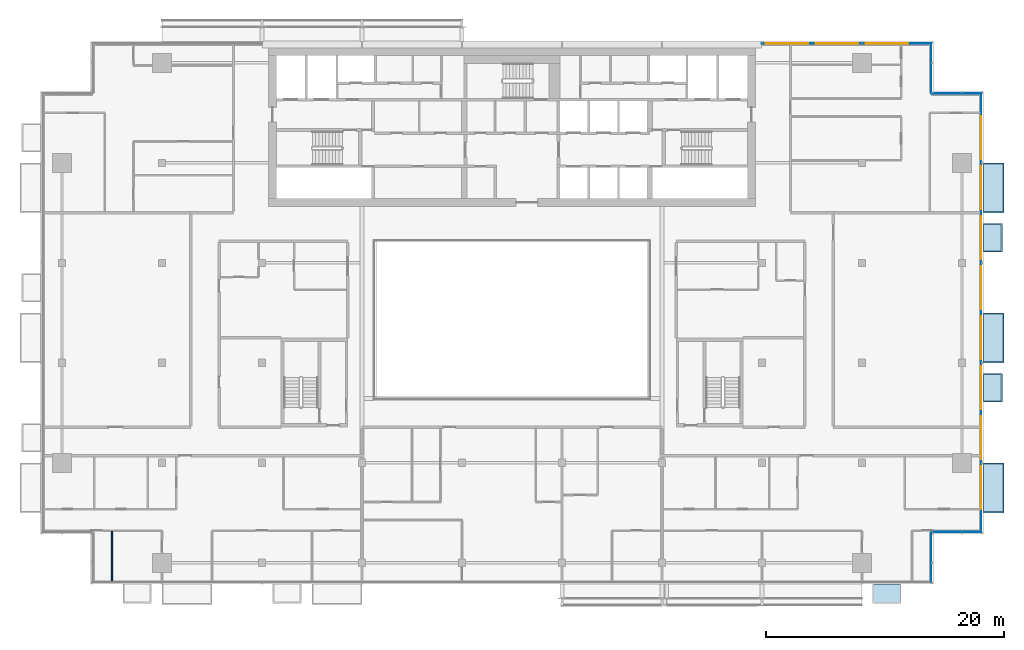
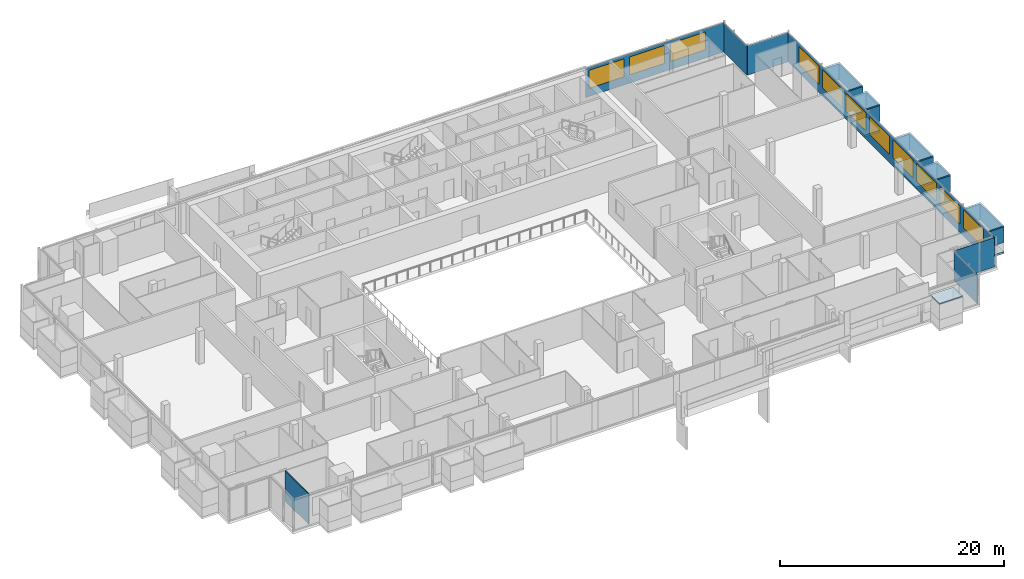
# One storey, part 16 of 27: 17 plates, 11 windows, 5 slabs, 1 wall, 11 openings, 6 elements without a shape of their own.
"""IFC4 building model written with IfcOpenShell, lengths in metres."""

from ifc_helpers import new_model, si_unit, direction, frame, frame_2d, origin, place, context, subcontext, project, spatial, polyline, rectangle, outline, extrude, material, layer, layer_set, type_object, element, fill, aggregate, save


model = new_model("IFC4")

# Units and contexts
model_context = context("Model", 3, precision=1e-05, world=origin(), true_north=direction((0.0, 1.0)))
body_context = subcontext(model_context, "Body", "Model", "MODEL_VIEW")
ifc_project = project(units=[si_unit("LENGTHUNIT", "METRE"), si_unit("AREAUNIT", "SQUARE_METRE"), si_unit("VOLUMEUNIT", "CUBIC_METRE"), si_unit("PLANEANGLEUNIT", "RADIAN"), si_unit("MASSUNIT", "GRAM", prefix="KILO")], contexts=[model_context])

# Site, building, storey
site_placement = place(None, origin())
site = spatial("IfcSite", under=ifc_project, at=site_placement, CompositionType="ELEMENT")
building_placement = place(site_placement, origin())
building = spatial("IfcBuilding", under=site, at=building_placement, Name="Saffron Gate Tower", CompositionType="ELEMENT")
storey_placement = place(building_placement, frame((0.0, 0.0, 212.699951171875)))
storey = spatial("IfcBuildingStorey", under=building, at=storey_placement, Name="L51", CompositionType="ELEMENT", Elevation=212.699951171875)

# Curtain wall, plate, openings, windows
ifc_material_1 = material(Name="Aluminium, bronze anodised", Category="aluminium")
curtain_wall_type_1 = type_object("IfcCurtainWallType", Name="CWS2 curtain wall side facades", PredefinedType="NOTDEFINED", material=ifc_material_1)
curtain_wall_1_placement = place(storey_placement, origin())
curtain_wall_1 = element("IfcCurtainWall", 1, at=curtain_wall_1_placement, inside=storey, type_object=curtain_wall_type_1, Name="CWS2 run 4", PredefinedType="NOTDEFINED")
ifc_material_2 = material(Name="Fritted bronze-tinted laminated glass", Category="glass")
ifc_layer_1 = layer(ifc_material_2, 0.028076171875)
ifc_layer_set_1 = layer_set([ifc_layer_1], Name="CWS2 fixed glass")
plate_type_1 = type_object("IfcPlateType", Name="CWS2 fixed glass", PredefinedType="CURTAIN_PANEL", material=ifc_layer_set_1)
plate_1_placement = place(storey_placement, frame((127.02587890625, 34.387939453125, 0.0), z_axis=(0.0, 0.0, 1.0), x_axis=(0.0, 1.0, 0.0)))
plate_1 = element("IfcPlate", 2, at=plate_1_placement, type_object=plate_type_1, Name="CWS2 glass panel", PredefinedType="CURTAIN_PANEL", context=body_context, shape_type="SweptSolid", body=[
    extrude(rectangle(XDim=36.823974609375, YDim=0.028076171875, at=frame_2d((18.412109375, 0.0))), origin(), (0.0, 0.0, 1.0), 3.199951171875),
])
opening_1_placement = place(plate_1_placement, frame((1.912109375, 0.0, 0.89990234375)))
opening_1 = element("IfcOpeningElement", 3, at=opening_1_placement, cuts=plate_1, Name="Opening W1", PredefinedType="OPENING", context=body_context, shape_type="SweptSolid", body=[
    extrude(rectangle(XDim=3.60009765625, YDim=1.949951171875, at=frame_2d((1.800048828125, 0.97509765625))), frame((0.0, 0.02392578125, 0.0), z_axis=(0.0, -1.0, 0.0), x_axis=(1.0, 0.0, 0.0)), (0.0, 0.0, 1.0), 0.048095703125),
])
opening_2_placement = place(plate_1_placement, frame((6.112060546875, 0.0, 0.89990234375)))
opening_2 = element("IfcOpeningElement", 4, at=opening_2_placement, cuts=plate_1, Name="Opening W1", PredefinedType="OPENING", context=body_context, shape_type="SweptSolid", body=[
    extrude(rectangle(XDim=3.60009765625, YDim=1.949951171875, at=frame_2d((1.800048828125, 0.97509765625))), frame((0.0, 0.02392578125, 0.0), z_axis=(0.0, -1.0, 0.0), x_axis=(1.0, 0.0, 0.0)), (0.0, 0.0, 1.0), 0.048095703125),
])
opening_3_placement = place(plate_1_placement, frame((10.31201171875, 0.0, 0.89990234375)))
opening_3 = element("IfcOpeningElement", 5, at=opening_3_placement, cuts=plate_1, Name="Opening W1", PredefinedType="OPENING", context=body_context, shape_type="SweptSolid", body=[
    extrude(rectangle(XDim=3.60009765625, YDim=1.949951171875, at=frame_2d((1.800048828125, 0.97509765625))), frame((0.0, 0.02392578125, 0.0), z_axis=(0.0, -1.0, 0.0), x_axis=(1.0, 0.0, 0.0)), (0.0, 0.0, 1.0), 0.048095703125),
])
opening_4_placement = place(plate_1_placement, frame((14.511962890625, 0.0, 0.89990234375)))
opening_4 = element("IfcOpeningElement", 6, at=opening_4_placement, cuts=plate_1, Name="Opening W1", PredefinedType="OPENING", context=body_context, shape_type="SweptSolid", body=[
    extrude(rectangle(XDim=3.60009765625, YDim=1.949951171875, at=frame_2d((1.800048828125, 0.97509765625))), frame((0.0, 0.02392578125, 0.0), z_axis=(0.0, -1.0, 0.0), x_axis=(1.0, 0.0, 0.0)), (0.0, 0.0, 1.0), 0.048095703125),
])
opening_5_placement = place(plate_1_placement, frame((18.7119140625, 0.0, 0.89990234375)))
opening_5 = element("IfcOpeningElement", 7, at=opening_5_placement, cuts=plate_1, Name="Opening W1", PredefinedType="OPENING", context=body_context, shape_type="SweptSolid", body=[
    extrude(rectangle(XDim=3.60009765625, YDim=1.949951171875, at=frame_2d((1.800048828125, 0.97509765625))), frame((0.0, 0.02392578125, 0.0), z_axis=(0.0, -1.0, 0.0), x_axis=(1.0, 0.0, 0.0)), (0.0, 0.0, 1.0), 0.048095703125),
])
opening_6_placement = place(plate_1_placement, frame((22.912109375, 0.0, 0.89990234375)))
opening_6 = element("IfcOpeningElement", 8, at=opening_6_placement, cuts=plate_1, Name="Opening W1", PredefinedType="OPENING", context=body_context, shape_type="SweptSolid", body=[
    extrude(rectangle(XDim=3.60009765625, YDim=1.949951171875, at=frame_2d((1.800048828125, 0.97509765625))), frame((0.0, 0.02392578125, 0.0), z_axis=(0.0, -1.0, 0.0), x_axis=(1.0, 0.0, 0.0)), (0.0, 0.0, 1.0), 0.048095703125),
])
opening_7_placement = place(plate_1_placement, frame((27.112060546875, 0.0, 0.89990234375)))
opening_7 = element("IfcOpeningElement", 9, at=opening_7_placement, cuts=plate_1, Name="Opening W1", PredefinedType="OPENING", context=body_context, shape_type="SweptSolid", body=[
    extrude(rectangle(XDim=3.60009765625, YDim=1.949951171875, at=frame_2d((1.800048828125, 0.97509765625))), frame((0.0, 0.02392578125, 0.0), z_axis=(0.0, -1.0, 0.0), x_axis=(1.0, 0.0, 0.0)), (0.0, 0.0, 1.0), 0.048095703125),
])
opening_8_placement = place(plate_1_placement, frame((31.31201171875, 0.0, 0.89990234375)))
opening_8 = element("IfcOpeningElement", 10, at=opening_8_placement, cuts=plate_1, Name="Opening W1", PredefinedType="OPENING", context=body_context, shape_type="SweptSolid", body=[
    extrude(rectangle(XDim=3.60009765625, YDim=1.949951171875, at=frame_2d((1.800048828125, 0.97509765625))), frame((0.0, 0.02392578125, 0.0), z_axis=(0.0, -1.0, 0.0), x_axis=(1.0, 0.0, 0.0)), (0.0, 0.0, 1.0), 0.048095703125),
])
ifc_material_3 = material(Name="Fritted bronze-tinted laminated glass in bronze frame", Category="glass")
ifc_layer_2 = layer(ifc_material_3, 0.06005859375)
ifc_layer_set_2 = layer_set([ifc_layer_2], Name="W1 operable panel 3600x1950")
window_type = type_object("IfcWindowType", Name="W1 operable panel 3600x1950", PartitioningType="DOUBLE_PANEL_HORIZONTAL", PredefinedType="WINDOW", material=ifc_layer_set_2)
window_1_placement = place(opening_1_placement, origin())
window_1 = element("IfcWindow", 11, at=window_1_placement, type_object=window_type, Name="W1 operable panel", OverallHeight=1.949951171875, OverallWidth=3.60009765625, PartitioningType="SINGLE_PANEL", PredefinedType="WINDOW", context=body_context, shape_type="SweptSolid", body=[
    extrude(rectangle(XDim=3.60009765625, YDim=1.949951171875, at=frame_2d((1.800048828125, 0.97509765625))), frame((0.0, 0.013671875, 0.0), z_axis=(0.0, -1.0, 0.0), x_axis=(1.0, 0.0, 0.0)), (0.0, 0.0, 1.0), 0.027587890625),
])
fill(opening_1, window_1)
window_2_placement = place(opening_2_placement, origin())
window_2 = element("IfcWindow", 12, at=window_2_placement, type_object=window_type, Name="W1 operable panel", OverallHeight=1.949951171875, OverallWidth=3.60009765625, PartitioningType="SINGLE_PANEL", PredefinedType="WINDOW", context=body_context, shape_type="SweptSolid", body=[
    extrude(rectangle(XDim=3.60009765625, YDim=1.949951171875, at=frame_2d((1.800048828125, 0.97509765625))), frame((0.0, 0.013671875, 0.0), z_axis=(0.0, -1.0, 0.0), x_axis=(1.0, 0.0, 0.0)), (0.0, 0.0, 1.0), 0.027587890625),
])
fill(opening_2, window_2)
window_3_placement = place(opening_3_placement, origin())
window_3 = element("IfcWindow", 13, at=window_3_placement, type_object=window_type, Name="W1 operable panel", OverallHeight=1.949951171875, OverallWidth=3.60009765625, PartitioningType="SINGLE_PANEL", PredefinedType="WINDOW", context=body_context, shape_type="SweptSolid", body=[
    extrude(rectangle(XDim=3.60009765625, YDim=1.949951171875, at=frame_2d((1.800048828125, 0.97509765625))), frame((0.0, 0.013671875, 0.0), z_axis=(0.0, -1.0, 0.0), x_axis=(1.0, 0.0, 0.0)), (0.0, 0.0, 1.0), 0.027587890625),
])
fill(opening_3, window_3)
window_4_placement = place(opening_4_placement, origin())
window_4 = element("IfcWindow", 14, at=window_4_placement, type_object=window_type, Name="W1 operable panel", OverallHeight=1.949951171875, OverallWidth=3.60009765625, PartitioningType="SINGLE_PANEL", PredefinedType="WINDOW", context=body_context, shape_type="SweptSolid", body=[
    extrude(rectangle(XDim=3.60009765625, YDim=1.949951171875, at=frame_2d((1.800048828125, 0.97509765625))), frame((0.0, 0.013671875, 0.0), z_axis=(0.0, -1.0, 0.0), x_axis=(1.0, 0.0, 0.0)), (0.0, 0.0, 1.0), 0.027587890625),
])
fill(opening_4, window_4)
window_5_placement = place(opening_5_placement, origin())
window_5 = element("IfcWindow", 15, at=window_5_placement, type_object=window_type, Name="W1 operable panel", OverallHeight=1.949951171875, OverallWidth=3.60009765625, PartitioningType="SINGLE_PANEL", PredefinedType="WINDOW", context=body_context, shape_type="SweptSolid", body=[
    extrude(rectangle(XDim=3.60009765625, YDim=1.949951171875, at=frame_2d((1.800048828125, 0.97509765625))), frame((0.0, 0.013671875, 0.0), z_axis=(0.0, -1.0, 0.0), x_axis=(1.0, 0.0, 0.0)), (0.0, 0.0, 1.0), 0.027587890625),
])
fill(opening_5, window_5)
window_6_placement = place(opening_6_placement, origin())
window_6 = element("IfcWindow", 16, at=window_6_placement, type_object=window_type, Name="W1 operable panel", OverallHeight=1.949951171875, OverallWidth=3.60009765625, PartitioningType="SINGLE_PANEL", PredefinedType="WINDOW", context=body_context, shape_type="SweptSolid", body=[
    extrude(rectangle(XDim=3.60009765625, YDim=1.949951171875, at=frame_2d((1.800048828125, 0.97509765625))), frame((0.0, 0.013671875, 0.0), z_axis=(0.0, -1.0, 0.0), x_axis=(1.0, 0.0, 0.0)), (0.0, 0.0, 1.0), 0.027587890625),
])
fill(opening_6, window_6)
window_7_placement = place(opening_7_placement, origin())
window_7 = element("IfcWindow", 17, at=window_7_placement, type_object=window_type, Name="W1 operable panel", OverallHeight=1.949951171875, OverallWidth=3.60009765625, PartitioningType="SINGLE_PANEL", PredefinedType="WINDOW", context=body_context, shape_type="SweptSolid", body=[
    extrude(rectangle(XDim=3.60009765625, YDim=1.949951171875, at=frame_2d((1.800048828125, 0.97509765625))), frame((0.0, 0.013671875, 0.0), z_axis=(0.0, -1.0, 0.0), x_axis=(1.0, 0.0, 0.0)), (0.0, 0.0, 1.0), 0.027587890625),
])
fill(opening_7, window_7)
window_8_placement = place(opening_8_placement, origin())
window_8 = element("IfcWindow", 18, at=window_8_placement, type_object=window_type, Name="W1 operable panel", OverallHeight=1.949951171875, OverallWidth=3.60009765625, PartitioningType="SINGLE_PANEL", PredefinedType="WINDOW", context=body_context, shape_type="SweptSolid", body=[
    extrude(rectangle(XDim=3.60009765625, YDim=1.949951171875, at=frame_2d((1.800048828125, 0.97509765625))), frame((0.0, 0.013671875, 0.0), z_axis=(0.0, -1.0, 0.0), x_axis=(1.0, 0.0, 0.0)), (0.0, 0.0, 1.0), 0.027587890625),
])
fill(opening_8, window_8)
aggregate(curtain_wall_1, [plate_1, window_1, window_2, window_3, window_4, window_5, window_6, window_7, window_8])

curtain_wall_type_2 = type_object("IfcCurtainWallType", Name="CWS3 curtain wall rear facade", PredefinedType="NOTDEFINED", material=ifc_material_1)
curtain_wall_2_placement = place(storey_placement, origin())
curtain_wall_2 = element("IfcCurtainWall", 19, at=curtain_wall_2_placement, inside=storey, type_object=curtain_wall_type_2, Name="CWS3 run 7", PredefinedType="NOTDEFINED")
ifc_material_4 = material(Name="Fritted grey-tinted laminated glass", Category="glass")
ifc_layer_3 = layer(ifc_material_4, 0.028076171875)
ifc_layer_set_3 = layer_set([ifc_layer_3], Name="CWS3 fixed glass")
plate_type_2 = type_object("IfcPlateType", Name="CWS3 fixed glass", PredefinedType="CURTAIN_PANEL", material=ifc_layer_set_3)
plate_2_placement = place(storey_placement, frame((122.81201171875, 75.426025390625, 0.0), z_axis=(0.0, 0.0, 1.0), x_axis=(-1.0, 0.0, 0.0)))
plate_2 = element("IfcPlate", 20, at=plate_2_placement, type_object=plate_type_2, Name="CWS3 glass panel", PredefinedType="CURTAIN_PANEL", context=body_context, shape_type="SweptSolid", body=[
    extrude(rectangle(XDim=14.2470703125, YDim=0.028076171875, at=frame_2d((7.12353515625, 0.0))), origin(), (0.0, 0.0, 1.0), 3.199951171875),
])
opening_9_placement = place(plate_2_placement, frame((1.912109375, 0.0, 0.89990234375)))
opening_9 = element("IfcOpeningElement", 21, at=opening_9_placement, cuts=plate_2, Name="Opening W1", PredefinedType="OPENING", context=body_context, shape_type="SweptSolid", body=[
    extrude(rectangle(XDim=3.60009765625, YDim=1.949951171875, at=frame_2d((1.800048828125, 0.97509765625))), frame((0.0, 0.02392578125, 0.0), z_axis=(0.0, -1.0, 0.0), x_axis=(1.0, 0.0, 0.0)), (0.0, 0.0, 1.0), 0.048095703125),
])
opening_10_placement = place(plate_2_placement, frame((6.112060546875, 0.0, 0.89990234375)))
opening_10 = element("IfcOpeningElement", 22, at=opening_10_placement, cuts=plate_2, Name="Opening W1", PredefinedType="OPENING", context=body_context, shape_type="SweptSolid", body=[
    extrude(rectangle(XDim=3.60009765625, YDim=1.949951171875, at=frame_2d((1.800048828125, 0.97509765625))), frame((0.0, 0.02392578125, 0.0), z_axis=(0.0, -1.0, 0.0), x_axis=(1.0, 0.0, 0.0)), (0.0, 0.0, 1.0), 0.048095703125),
])
opening_11_placement = place(plate_2_placement, frame((10.31201171875, 0.0, 0.89990234375)))
opening_11 = element("IfcOpeningElement", 23, at=opening_11_placement, cuts=plate_2, Name="Opening W1", PredefinedType="OPENING", context=body_context, shape_type="SweptSolid", body=[
    extrude(rectangle(XDim=3.60009765625, YDim=1.949951171875, at=frame_2d((1.800048828125, 0.97509765625))), frame((0.0, 0.02392578125, 0.0), z_axis=(0.0, -1.0, 0.0), x_axis=(1.0, 0.0, 0.0)), (0.0, 0.0, 1.0), 0.048095703125),
])
window_9_placement = place(opening_9_placement, origin())
window_9 = element("IfcWindow", 24, at=window_9_placement, type_object=window_type, Name="W1 operable panel", OverallHeight=1.949951171875, OverallWidth=3.60009765625, PartitioningType="SINGLE_PANEL", PredefinedType="WINDOW", context=body_context, shape_type="SweptSolid", body=[
    extrude(rectangle(XDim=3.60009765625, YDim=1.949951171875, at=frame_2d((1.800048828125, 0.97509765625))), frame((0.0, 0.013671875, 0.0), z_axis=(0.0, -1.0, 0.0), x_axis=(1.0, 0.0, 0.0)), (0.0, 0.0, 1.0), 0.027587890625),
])
fill(opening_9, window_9)
window_10_placement = place(opening_10_placement, origin())
window_10 = element("IfcWindow", 25, at=window_10_placement, type_object=window_type, Name="W1 operable panel", OverallHeight=1.949951171875, OverallWidth=3.60009765625, PartitioningType="SINGLE_PANEL", PredefinedType="WINDOW", context=body_context, shape_type="SweptSolid", body=[
    extrude(rectangle(XDim=3.60009765625, YDim=1.949951171875, at=frame_2d((1.800048828125, 0.97509765625))), frame((0.0, 0.013671875, 0.0), z_axis=(0.0, -1.0, 0.0), x_axis=(1.0, 0.0, 0.0)), (0.0, 0.0, 1.0), 0.027587890625),
])
fill(opening_10, window_10)
window_11_placement = place(opening_11_placement, origin())
window_11 = element("IfcWindow", 26, at=window_11_placement, type_object=window_type, Name="W1 operable panel", OverallHeight=1.949951171875, OverallWidth=3.60009765625, PartitioningType="SINGLE_PANEL", PredefinedType="WINDOW", context=body_context, shape_type="SweptSolid", body=[
    extrude(rectangle(XDim=3.60009765625, YDim=1.949951171875, at=frame_2d((1.800048828125, 0.97509765625))), frame((0.0, 0.013671875, 0.0), z_axis=(0.0, -1.0, 0.0), x_axis=(1.0, 0.0, 0.0)), (0.0, 0.0, 1.0), 0.027587890625),
])
fill(opening_11, window_11)
aggregate(curtain_wall_2, [plate_2, window_9, window_10, window_11])

# Curtain wall, plate
curtain_wall_type_3 = type_object("IfcCurtainWallType", Name="CWS4 curtain wall corner returns", PredefinedType="NOTDEFINED", material=ifc_material_1)
curtain_wall_3_placement = place(storey_placement, origin())
curtain_wall_3 = element("IfcCurtainWall", 27, at=curtain_wall_3_placement, inside=storey, type_object=curtain_wall_type_3, Name="CWS4 run 2", PredefinedType="NOTDEFINED")
ifc_layer_4 = layer(ifc_material_2, 0.028076171875)
ifc_layer_set_4 = layer_set([ifc_layer_4], Name="CWS4 fixed glass")
plate_type_3 = type_object("IfcPlateType", Name="CWS4 fixed glass", PredefinedType="CURTAIN_PANEL", material=ifc_layer_set_4)
plate_3_placement = place(storey_placement, frame((122.825927734375, 30.18798828125, 0.0), z_axis=(0.0, 0.0, 1.0), x_axis=(0.0, 1.0, 0.0)))
plate_3 = element("IfcPlate", 28, at=plate_3_placement, type_object=plate_type_3, Name="CWS4 glass panel", PredefinedType="CURTAIN_PANEL", context=body_context, shape_type="SweptSolid", body=[
    extrude(rectangle(XDim=4.172119140625, YDim=0.028076171875, at=frame_2d((2.0859375, 0.0))), origin(), (0.0, 0.0, 1.0), 3.199951171875),
])
aggregate(curtain_wall_3, [plate_3])

curtain_wall_4_placement = place(storey_placement, origin())
curtain_wall_4 = element("IfcCurtainWall", 29, at=curtain_wall_4_placement, inside=storey, type_object=curtain_wall_type_3, Name="CWS4 run 3", PredefinedType="NOTDEFINED")
plate_4_placement = place(storey_placement, frame((122.840087890625, 34.3740234375, 0.0), z_axis=(0.0, 0.0, 1.0), x_axis=(1.0, 0.0, 0.0)))
plate_4 = element("IfcPlate", 30, at=plate_4_placement, type_object=plate_type_3, Name="CWS4 glass panel", PredefinedType="CURTAIN_PANEL", context=body_context, shape_type="SweptSolid", body=[
    extrude(rectangle(XDim=4.171875, YDim=0.028076171875, at=frame_2d((2.0859375, 0.0))), origin(), (0.0, 0.0, 1.0), 3.199951171875),
])
aggregate(curtain_wall_4, [plate_4])

curtain_wall_5_placement = place(storey_placement, origin())
curtain_wall_5 = element("IfcCurtainWall", 31, at=curtain_wall_5_placement, inside=storey, type_object=curtain_wall_type_3, Name="CWS4 run 5", PredefinedType="NOTDEFINED")
plate_5_placement = place(storey_placement, frame((127.011962890625, 71.22607421875, 0.0), z_axis=(0.0, 0.0, 1.0), x_axis=(-1.0, 0.0, 0.0)))
plate_5 = element("IfcPlate", 32, at=plate_5_placement, type_object=plate_type_3, Name="CWS4 glass panel", PredefinedType="CURTAIN_PANEL", context=body_context, shape_type="SweptSolid", body=[
    extrude(rectangle(XDim=4.171875, YDim=0.028076171875, at=frame_2d((2.0859375, 0.0))), origin(), (0.0, 0.0, 1.0), 3.199951171875),
])
aggregate(curtain_wall_5, [plate_5])

curtain_wall_6_placement = place(storey_placement, origin())
curtain_wall_6 = element("IfcCurtainWall", 33, at=curtain_wall_6_placement, inside=storey, type_object=curtain_wall_type_3, Name="CWS4 run 6", PredefinedType="NOTDEFINED")
plate_6_placement = place(storey_placement, frame((122.825927734375, 71.239990234375, 0.0), z_axis=(0.0, 0.0, 1.0), x_axis=(0.0, 1.0, 0.0)))
plate_6 = element("IfcPlate", 34, at=plate_6_placement, type_object=plate_type_3, Name="CWS4 glass panel", PredefinedType="CURTAIN_PANEL", context=body_context, shape_type="SweptSolid", body=[
    extrude(rectangle(XDim=4.172119140625, YDim=0.028076171875, at=frame_2d((2.0859375, 0.0))), origin(), (0.0, 0.0, 1.0), 3.199951171875),
])
aggregate(curtain_wall_6, [plate_6])

# Slabs
ifc_material_5 = material(Name="Timber deck on bronze frame", Category="wood")
ifc_layer_5 = layer(ifc_material_5, 0.199951171875)
ifc_layer_set_5 = layer_set([ifc_layer_5], Name="WB1 box floor")
slab_type = type_object("IfcSlabType", Name="WB1 box floor", PredefinedType="FLOOR", material=ifc_layer_set_5)
slab_1_placement = place(storey_placement, frame((0.0, 0.0, -0.199951171875)))
element("IfcSlab", 35, at=slab_1_placement, inside=storey, type_object=slab_type, Name="WINDOW BOX floor", PredefinedType="FLOOR", context=body_context, shape_type="SweptSolid", body=[
    extrude(outline(polyline([(127.199951171875, 36.0), (127.199951171875, 40.199951171875), (128.93310546875, 40.199951171875), (128.93310546875, 36.0), (127.199951171875, 36.0)])), origin(), (0.0, 0.0, 1.0), 0.199951171875),
])
slab_2_placement = place(storey_placement, frame((0.0, 0.0, -0.199951171875)))
element("IfcSlab", 36, at=slab_2_placement, inside=storey, type_object=slab_type, Name="WINDOW BOX floor", PredefinedType="FLOOR", context=body_context, shape_type="SweptSolid", body=[
    extrude(outline(polyline([(127.199951171875, 45.300048828125), (127.199951171875, 47.699951171875), (128.800048828125, 47.699951171875), (128.800048828125, 45.300048828125), (127.199951171875, 45.300048828125)])), origin(), (0.0, 0.0, 1.0), 0.199951171875),
])
slab_3_placement = place(storey_placement, frame((0.0, 0.0, -0.199951171875)))
element("IfcSlab", 37, at=slab_3_placement, inside=storey, type_object=slab_type, Name="WINDOW BOX floor", PredefinedType="FLOOR", context=body_context, shape_type="SweptSolid", body=[
    extrude(outline(polyline([(127.199951171875, 48.60009765625), (127.199951171875, 52.800048828125), (128.93310546875, 52.800048828125), (128.93310546875, 48.60009765625), (127.199951171875, 48.60009765625)])), origin(), (0.0, 0.0, 1.0), 0.199951171875),
])
slab_4_placement = place(storey_placement, frame((0.0, 0.0, -0.199951171875)))
element("IfcSlab", 38, at=slab_4_placement, inside=storey, type_object=slab_type, Name="WINDOW BOX floor", PredefinedType="FLOOR", context=body_context, shape_type="SweptSolid", body=[
    extrude(outline(polyline([(127.199951171875, 57.89990234375), (127.199951171875, 60.300048828125), (128.800048828125, 60.300048828125), (128.800048828125, 57.89990234375), (127.199951171875, 57.89990234375)])), origin(), (0.0, 0.0, 1.0), 0.199951171875),
])
slab_5_placement = place(storey_placement, frame((0.0, 0.0, -0.199951171875)))
element("IfcSlab", 39, at=slab_5_placement, inside=storey, type_object=slab_type, Name="WINDOW BOX floor", PredefinedType="FLOOR", context=body_context, shape_type="SweptSolid", body=[
    extrude(outline(polyline([(127.199951171875, 61.199951171875), (127.199951171875, 65.39990234375), (128.93310546875, 65.39990234375), (128.93310546875, 61.199951171875), (127.199951171875, 61.199951171875)])), origin(), (0.0, 0.0, 1.0), 0.199951171875),
])

# Plates
ifc_layer_6 = layer(ifc_material_1, 0.1201171875)
ifc_layer_set_6 = layer_set([ifc_layer_6], Name="WB2 box roof")
plate_type_4 = type_object("IfcPlateType", Name="WB2 box roof", PredefinedType="SHEET", material=ifc_layer_set_6)
plate_7_placement = place(storey_placement, frame((0.0, 0.0, 2.699951171875)))
element("IfcPlate", 40, at=plate_7_placement, inside=storey, type_object=plate_type_4, Name="WINDOW BOX roof", PredefinedType="SHEET", context=body_context, shape_type="SweptSolid", body=[
    extrude(outline(polyline([(117.89990234375, 30.0), (120.300048828125, 30.0), (120.300048828125, 28.39990234375), (117.89990234375, 28.39990234375), (117.89990234375, 30.0)])), origin(), (0.0, 0.0, 1.0), 0.1201171875),
])
plate_8_placement = place(storey_placement, frame((0.0, 0.0, 2.699951171875)))
element("IfcPlate", 41, at=plate_8_placement, inside=storey, type_object=plate_type_4, Name="WINDOW BOX roof", PredefinedType="SHEET", context=body_context, shape_type="SweptSolid", body=[
    extrude(outline(polyline([(127.199951171875, 36.0), (127.199951171875, 40.199951171875), (128.93310546875, 40.199951171875), (128.93310546875, 36.0), (127.199951171875, 36.0)])), origin(), (0.0, 0.0, 1.0), 0.1201171875),
])
plate_9_placement = place(storey_placement, frame((0.0, 0.0, 2.699951171875)))
element("IfcPlate", 42, at=plate_9_placement, inside=storey, type_object=plate_type_4, Name="WINDOW BOX roof", PredefinedType="SHEET", context=body_context, shape_type="SweptSolid", body=[
    extrude(outline(polyline([(127.199951171875, 45.300048828125), (127.199951171875, 47.699951171875), (128.800048828125, 47.699951171875), (128.800048828125, 45.300048828125), (127.199951171875, 45.300048828125)])), origin(), (0.0, 0.0, 1.0), 0.1201171875),
])
plate_10_placement = place(storey_placement, frame((0.0, 0.0, 2.699951171875)))
element("IfcPlate", 43, at=plate_10_placement, inside=storey, type_object=plate_type_4, Name="WINDOW BOX roof", PredefinedType="SHEET", context=body_context, shape_type="SweptSolid", body=[
    extrude(outline(polyline([(127.199951171875, 48.60009765625), (127.199951171875, 52.800048828125), (128.93310546875, 52.800048828125), (128.93310546875, 48.60009765625), (127.199951171875, 48.60009765625)])), origin(), (0.0, 0.0, 1.0), 0.1201171875),
])
plate_11_placement = place(storey_placement, frame((0.0, 0.0, 2.699951171875)))
element("IfcPlate", 44, at=plate_11_placement, inside=storey, type_object=plate_type_4, Name="WINDOW BOX roof", PredefinedType="SHEET", context=body_context, shape_type="SweptSolid", body=[
    extrude(outline(polyline([(127.199951171875, 57.89990234375), (127.199951171875, 60.300048828125), (128.800048828125, 60.300048828125), (128.800048828125, 57.89990234375), (127.199951171875, 57.89990234375)])), origin(), (0.0, 0.0, 1.0), 0.1201171875),
])
plate_12_placement = place(storey_placement, frame((0.0, 0.0, 2.699951171875)))
element("IfcPlate", 45, at=plate_12_placement, inside=storey, type_object=plate_type_4, Name="WINDOW BOX roof", PredefinedType="SHEET", context=body_context, shape_type="SweptSolid", body=[
    extrude(outline(polyline([(127.199951171875, 61.199951171875), (127.199951171875, 65.39990234375), (128.93310546875, 65.39990234375), (128.93310546875, 61.199951171875), (127.199951171875, 61.199951171875)])), origin(), (0.0, 0.0, 1.0), 0.1201171875),
])
ifc_material_6 = material(Name="Clear low-iron laminated glass", Category="glass")
ifc_layer_7 = layer(ifc_material_6, 0.10009765625)
ifc_layer_set_7 = layer_set([ifc_layer_7], Name="WB6 box glazing")
plate_type_5 = type_object("IfcPlateType", Name="WB6 box glazing", PredefinedType="SHEET", material=ifc_layer_set_7)
plate_13_placement = place(storey_placement, frame((0.0, 0.0, 1.0)))
element("IfcPlate", 46, at=plate_13_placement, inside=storey, type_object=plate_type_5, Name="WINDOW BOX glazing", PredefinedType="SHEET", context=body_context, shape_type="SweptSolid", body=[
    extrude(outline(polyline([(127.199951171875, 36.0), (127.199951171875, 36.10009765625), (128.8330078125, 36.10009765625), (128.8330078125, 40.10009765625), (127.199951171875, 40.10009765625), (127.199951171875, 40.199951171875), (128.93310546875, 40.199951171875), (128.93310546875, 36.0), (127.199951171875, 36.0)])), origin(), (0.0, 0.0, 1.0), 1.699951171875),
])
plate_14_placement = place(storey_placement, frame((0.0, 0.0, 1.0)))
element("IfcPlate", 47, at=plate_14_placement, inside=storey, type_object=plate_type_5, Name="WINDOW BOX glazing", PredefinedType="SHEET", context=body_context, shape_type="SweptSolid", body=[
    extrude(outline(polyline([(127.199951171875, 45.300048828125), (127.199951171875, 45.39990234375), (128.699951171875, 45.39990234375), (128.699951171875, 47.60009765625), (127.199951171875, 47.60009765625), (127.199951171875, 47.699951171875), (128.800048828125, 47.699951171875), (128.800048828125, 45.300048828125), (127.199951171875, 45.300048828125)])), origin(), (0.0, 0.0, 1.0), 1.699951171875),
])
plate_15_placement = place(storey_placement, frame((0.0, 0.0, 1.0)))
element("IfcPlate", 48, at=plate_15_placement, inside=storey, type_object=plate_type_5, Name="WINDOW BOX glazing", PredefinedType="SHEET", context=body_context, shape_type="SweptSolid", body=[
    extrude(outline(polyline([(127.199951171875, 48.60009765625), (127.199951171875, 48.699951171875), (128.8330078125, 48.699951171875), (128.8330078125, 52.699951171875), (127.199951171875, 52.699951171875), (127.199951171875, 52.800048828125), (128.93310546875, 52.800048828125), (128.93310546875, 48.60009765625), (127.199951171875, 48.60009765625)])), origin(), (0.0, 0.0, 1.0), 1.699951171875),
])
plate_16_placement = place(storey_placement, frame((0.0, 0.0, 1.0)))
element("IfcPlate", 49, at=plate_16_placement, inside=storey, type_object=plate_type_5, Name="WINDOW BOX glazing", PredefinedType="SHEET", context=body_context, shape_type="SweptSolid", body=[
    extrude(outline(polyline([(127.199951171875, 57.89990234375), (127.199951171875, 58.0), (128.699951171875, 58.0), (128.699951171875, 60.199951171875), (127.199951171875, 60.199951171875), (127.199951171875, 60.300048828125), (128.800048828125, 60.300048828125), (128.800048828125, 57.89990234375), (127.199951171875, 57.89990234375)])), origin(), (0.0, 0.0, 1.0), 1.699951171875),
])
plate_17_placement = place(storey_placement, frame((0.0, 0.0, 1.0)))
element("IfcPlate", 50, at=plate_17_placement, inside=storey, type_object=plate_type_5, Name="WINDOW BOX glazing", PredefinedType="SHEET", context=body_context, shape_type="SweptSolid", body=[
    extrude(outline(polyline([(127.199951171875, 61.199951171875), (127.199951171875, 61.300048828125), (128.8330078125, 61.300048828125), (128.8330078125, 65.300048828125), (127.199951171875, 65.300048828125), (127.199951171875, 65.39990234375), (128.93310546875, 65.39990234375), (128.93310546875, 61.199951171875), (127.199951171875, 61.199951171875)])), origin(), (0.0, 0.0, 1.0), 1.699951171875),
])

# Wall
ifc_material_7 = material(Name="Plasterboard on steel studs", Category="steel")
ifc_layer_8 = layer(ifc_material_7, 0.10009765625)
ifc_layer_set_8 = layer_set([ifc_layer_8], Name="PW1 Partition 100")
wall_type = type_object("IfcWallType", Name="PW1 Partition 100", PredefinedType="PARTITIONING", material=ifc_layer_set_8)
wall_placement = place(storey_placement, frame((54.0, 34.449951171875, 0.0), z_axis=(0.0, 0.0, 1.0), x_axis=(0.0, -1.0, 0.0)))
element("IfcWall", 51, at=wall_placement, inside=storey, type_object=wall_type, Name="Partition D1-47", PredefinedType="PARTITIONING", context=body_context, shape_type="SweptSolid", body=[
    extrude(rectangle(XDim=4.169921875, YDim=0.10009765625, at=frame_2d((2.0849609375, 0.0))), origin(), (0.0, 0.0, 1.0), 3.320068359375),
])

save(model, "model.ifc")
